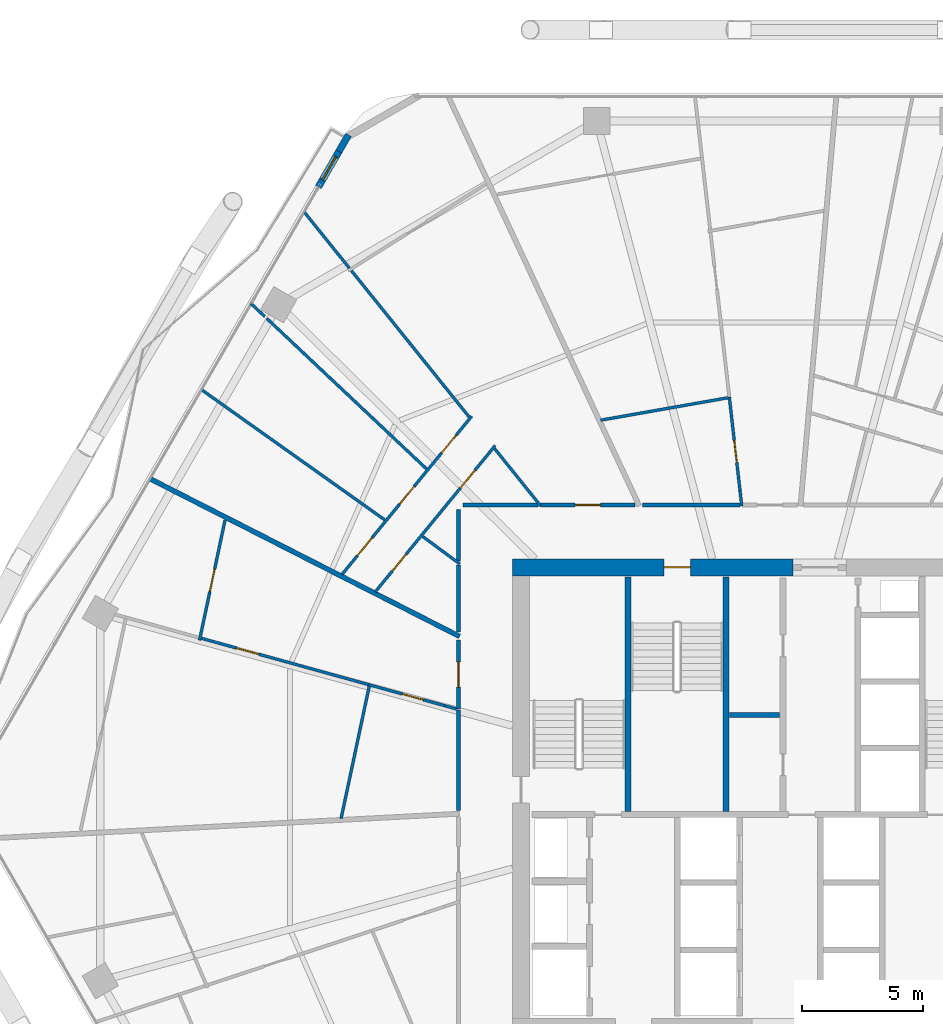
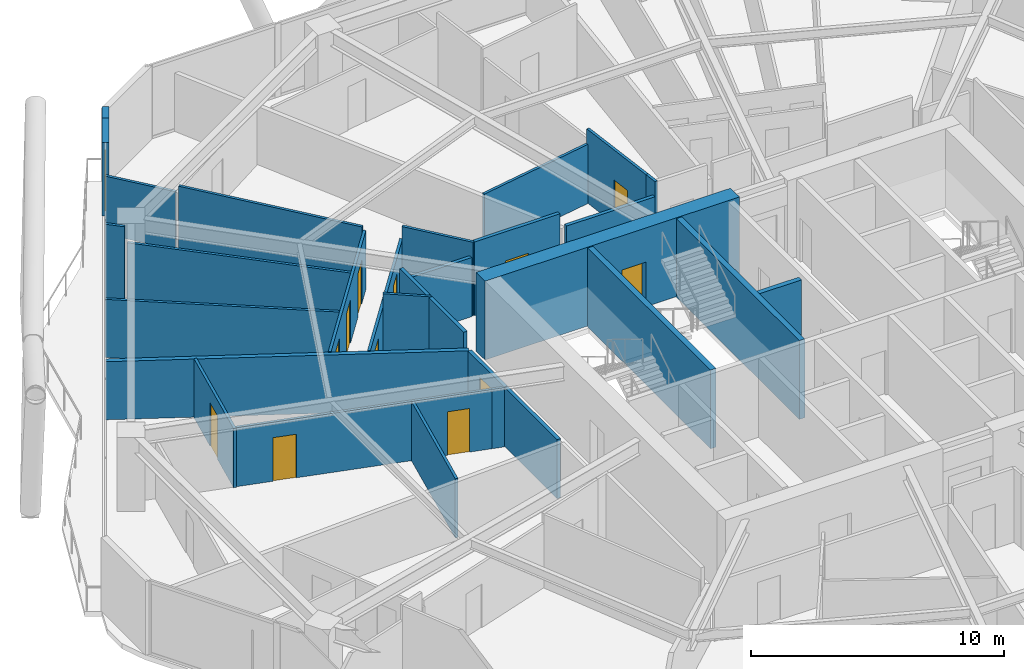
# One storey, part 30 of 34: 31 walls, 13 doors, 13 openings.
"""IFC4 building model written with IfcOpenShell, lengths in metres."""

from ifc_helpers import new_model, si_unit, direction, frame, frame_2d, origin, place, context, subcontext, project, spatial, rectangle, extrude, material, layer, layer_set, type_object, element, fill, save


model = new_model("IFC4")

# Units and contexts
model_context = context("Model", 3, precision=1e-05, world=origin(), true_north=direction((0.0, 1.0)))
body_context = subcontext(model_context, "Body", "Model", "MODEL_VIEW")
ifc_project = project(units=[si_unit("LENGTHUNIT", "METRE"), si_unit("AREAUNIT", "SQUARE_METRE"), si_unit("VOLUMEUNIT", "CUBIC_METRE"), si_unit("PLANEANGLEUNIT", "RADIAN"), si_unit("MASSUNIT", "GRAM", prefix="KILO")], contexts=[model_context])

# Site, building, storey
site_placement = place(None, origin())
site = spatial("IfcSite", under=ifc_project, at=site_placement, CompositionType="ELEMENT")
building_placement = place(site_placement, origin())
building = spatial("IfcBuilding", under=site, at=building_placement, Name="Zuhravey Tower", CompositionType="ELEMENT")
storey_placement = place(building_placement, frame((0.0, 0.0, 130.39990234375)))
storey = spatial("IfcBuildingStorey", under=building, at=storey_placement, Name="L32", CompositionType="ELEMENT", Elevation=130.39990234375)

# Wall, opening, door
ifc_material_1 = material(Name="Concrete C60/75", Category="concrete")
ifc_layer_1 = layer(ifc_material_1, 0.699951171875)
ifc_layer_set_1 = layer_set([ifc_layer_1], Name="Concrete C60/75")
wall_type_1 = type_object("IfcWallType", Name="Core Shear Wall 700", PredefinedType="SHEAR", material=ifc_layer_set_1)
wall_1_placement = place(storey_placement, frame((36.75, 41.5, 0.0), z_axis=(0.0, 0.0, 1.0), x_axis=(-1.0, 0.0, 0.0)))
wall_1 = element("IfcWall", 1, at=wall_1_placement, inside=storey, type_object=wall_type_1, Name="L32 North-West Core Shear Wall CW70", PredefinedType="SHEAR", context=body_context, shape_type="SweptSolid", body=[
    extrude(rectangle(XDim=11.60009765625, YDim=0.699951171875, at=frame_2d((5.800048828125, 0.0))), origin(), (0.0, 0.0, 1.0), 3.800048828125),
])
opening_1_placement = place(wall_1_placement, frame((4.25, 0.0, 0.0)))
opening_1 = element("IfcOpeningElement", 2, at=opening_1_placement, cuts=wall_1, Name="Opening STD1", PredefinedType="OPENING", context=body_context, shape_type="SweptSolid", body=[
    extrude(rectangle(XDim=1.10009765625, YDim=2.14990234375, at=frame_2d((0.550048828125, 1.074951171875))), frame((0.0, 0.362060546875, 0.0), z_axis=(0.0, -1.0, 0.0), x_axis=(1.0, 0.0, 0.0)), (0.0, 0.0, 1.0), 0.723876953125),
])
ifc_material_2 = material(Name="Galvanised fire-rated steel leaf", Category="steel")
door_type_1 = type_object("IfcDoorType", Name="Protected Stair Fire Door 1100x2150", OperationType="NOTDEFINED", PredefinedType="USERDEFINED", material=ifc_material_2)
door_1_placement = place(opening_1_placement, origin())
door_1 = element("IfcDoor", 3, at=door_1_placement, inside=storey, type_object=door_type_1, Name="L32 Stair ST3 Door", ObjectType="EXITDOOR", OperationType="SINGLE_SWING_RIGHT", OverallHeight=2.14990234375, OverallWidth=1.10009765625, PredefinedType="USERDEFINED", context=body_context, shape_type="SweptSolid", body=[
    extrude(rectangle(XDim=1.10009765625, YDim=2.14990234375, at=frame_2d((0.550048828125, 1.074951171875))), frame((0.0, 0.02490234375, 0.0), z_axis=(0.0, -1.0, 0.0), x_axis=(1.0, 0.0, 0.0)), (0.0, 0.0, 1.0), 0.050048828125),
])
fill(opening_1, door_1)

ifc_material_3 = material(Name="Gypsum fire-rated stud partition")
ifc_layer_2 = layer(ifc_material_3, 0.159912109375)
ifc_layer_set_2 = layer_set([ifc_layer_2], Name="Gypsum fire-rated stud partition")
wall_type_2 = type_object("IfcWallType", Name="Corridor Fire Partition 160", PredefinedType="PARTITIONING", material=ifc_layer_set_2)
wall_2_placement = place(storey_placement, frame((30.216064453125, 44.080078125, 0.0), z_axis=(0.0, 0.0, 1.0), x_axis=(-1.0, 0.0, 0.0)))
wall_2 = element("IfcWall", 4, at=wall_2_placement, inside=storey, type_object=wall_type_2, Name="L32 IW16 Partition 036", PredefinedType="PARTITIONING", context=body_context, shape_type="SweptSolid", body=[
    extrude(rectangle(XDim=3.909912109375, YDim=0.159912109375, at=frame_2d((1.955078125, 0.0))), origin(), (0.0, 0.0, 1.0), 3.550048828125),
])
opening_2_placement = place(wall_2_placement, frame((1.429931640625, 0.0, 0.0)))
opening_2 = element("IfcOpeningElement", 5, at=opening_2_placement, cuts=wall_2, Name="Opening APD1", PredefinedType="OPENING", context=body_context, shape_type="SweptSolid", body=[
    extrude(rectangle(XDim=1.050048828125, YDim=2.14990234375, at=frame_2d((0.52490234375, 1.074951171875))), frame((0.0, 0.092041015625, 0.0), z_axis=(0.0, -1.0, 0.0), x_axis=(1.0, 0.0, 0.0)), (0.0, 0.0, 1.0), 0.183837890625),
])
ifc_material_4 = material(Name="Solid-core oak fire-rated leaf")
door_type_2 = type_object("IfcDoorType", Name="Apartment Entrance Fire Door 1050x2150", OperationType="NOTDEFINED", PredefinedType="DOOR", material=ifc_material_4)
door_2_placement = place(opening_2_placement, frame((1.050048828125, 0.0, 0.0), z_axis=(0.0, 0.0, 1.0), x_axis=(-1.0, 0.0, 0.0)))
door_2 = element("IfcDoor", 6, at=door_2_placement, inside=storey, type_object=door_type_2, Name="L32 Door 036.1", OperationType="SINGLE_SWING_LEFT", OverallHeight=2.14990234375, OverallWidth=1.050048828125, PredefinedType="DOOR", context=body_context, shape_type="SweptSolid", body=[
    extrude(rectangle(XDim=1.050048828125, YDim=2.14990234375, at=frame_2d((0.52490234375, 1.074951171875))), frame((0.0, 0.02490234375, 0.0), z_axis=(0.0, -1.0, 0.0), x_axis=(1.0, 0.0, 0.0)), (0.0, 0.0, 1.0), 0.050048828125),
])
fill(opening_2, door_2)

wall_3_placement = place(storey_placement, frame((22.919921875, 38.4990234375, 0.0), z_axis=(0.0, 0.0, 1.0), x_axis=(0.0, -1.0, 0.0)))
wall_3 = element("IfcWall", 7, at=wall_3_placement, inside=storey, type_object=wall_type_2, Name="L32 IW16 Partition 042", PredefinedType="PARTITIONING", context=body_context, shape_type="SweptSolid", body=[
    extrude(rectangle(XDim=2.855712890625, YDim=0.159912109375, at=frame_2d((1.427734375, 0.0))), origin(), (0.0, 0.0, 1.0), 2.85009765625),
])
opening_3_placement = place(wall_3_placement, frame((0.90283203125, 0.0, 0.0)))
opening_3 = element("IfcOpeningElement", 8, at=opening_3_placement, cuts=wall_3, Name="Opening APD1", PredefinedType="OPENING", context=body_context, shape_type="SweptSolid", body=[
    extrude(rectangle(XDim=1.050048828125, YDim=2.14990234375, at=frame_2d((0.52490234375, 1.074951171875))), frame((0.0, 0.092041015625, 0.0), z_axis=(0.0, -1.0, 0.0), x_axis=(1.0, 0.0, 0.0)), (0.0, 0.0, 1.0), 0.183837890625),
])
door_3_placement = place(opening_3_placement, frame((1.050048828125, 0.0, 0.0), z_axis=(0.0, 0.0, 1.0), x_axis=(-1.0, 0.0, 0.0)))
door_3 = element("IfcDoor", 9, at=door_3_placement, inside=storey, type_object=door_type_2, Name="L32 Door 042.1", OperationType="SINGLE_SWING_RIGHT", OverallHeight=2.14990234375, OverallWidth=1.050048828125, PredefinedType="DOOR", context=body_context, shape_type="SweptSolid", body=[
    extrude(rectangle(XDim=1.050048828125, YDim=2.14990234375, at=frame_2d((0.52490234375, 1.074951171875))), frame((0.0, 0.02490234375, 0.0), z_axis=(0.0, -1.0, 0.0), x_axis=(1.0, 0.0, 0.0)), (0.0, 0.0, 1.0), 0.050048828125),
])
fill(opening_3, door_3)

# Walls
wall_4_placement = place(storey_placement, frame((34.55078125, 44.080078125, 0.0), z_axis=(0.0, 0.0, 1.0), x_axis=(-1.0, 0.0, 0.0)))
element("IfcWall", 10, at=wall_4_placement, inside=storey, type_object=wall_type_2, Name="L32 IW16 Partition 132", PredefinedType="PARTITIONING", context=body_context, shape_type="SweptSolid", body=[
    extrude(rectangle(XDim=4.033935546875, YDim=0.159912109375, at=frame_2d((2.01708984375, 0.0))), origin(), (0.0, 0.0, 1.0), 2.85009765625),
])
wall_5_placement = place(storey_placement, frame((26.193115234375, 44.080078125, 0.0), z_axis=(0.0, 0.0, 1.0), x_axis=(-1.0, 0.0, 0.0)))
element("IfcWall", 11, at=wall_5_placement, inside=storey, type_object=wall_type_2, Name="L32 IW16 Partition 133", PredefinedType="PARTITIONING", context=body_context, shape_type="SweptSolid", body=[
    extrude(rectangle(XDim=3.093017578125, YDim=0.159912109375, at=frame_2d((1.54638671875, 0.0))), origin(), (0.0, 0.0, 1.0), 2.85009765625),
])
wall_6_placement = place(storey_placement, frame((22.919921875, 43.89990234375, 0.0), z_axis=(0.0, 0.0, 1.0), x_axis=(0.0, -1.0, 0.0)))
element("IfcWall", 12, at=wall_6_placement, inside=storey, type_object=wall_type_2, Name="L32 IW16 Partition 134", PredefinedType="PARTITIONING", context=body_context, shape_type="SweptSolid", body=[
    extrude(rectangle(XDim=2.13720703125, YDim=0.159912109375, at=frame_2d((1.068603515625, 0.0))), origin(), (0.0, 0.0, 1.0), 3.550048828125),
])
wall_7_placement = place(storey_placement, frame((22.919921875, 41.593505859375, 0.0), z_axis=(0.0, 0.0, 1.0), x_axis=(0.0, -1.0, 0.0)))
element("IfcWall", 13, at=wall_7_placement, inside=storey, type_object=wall_type_2, Name="L32 IW16 Partition 135", PredefinedType="PARTITIONING", context=body_context, shape_type="SweptSolid", body=[
    extrude(rectangle(XDim=2.761962890625, YDim=0.159912109375, at=frame_2d((1.380859375, 0.0))), origin(), (0.0, 0.0, 1.0), 3.550048828125),
])
wall_8_placement = place(storey_placement, frame((22.919921875, 35.601806640625, 0.0), z_axis=(0.0, 0.0, 1.0), x_axis=(0.0, -1.0, 0.0)))
element("IfcWall", 14, at=wall_8_placement, inside=storey, type_object=wall_type_2, Name="L32 IW16 Partition 136", PredefinedType="PARTITIONING", context=body_context, shape_type="SweptSolid", body=[
    extrude(rectangle(XDim=4.15283203125, YDim=0.159912109375, at=frame_2d((2.076416015625, 0.0))), origin(), (0.0, 0.0, 1.0), 2.85009765625),
])

# Wall, opening, door
ifc_material_5 = material(Name="Precast concrete C40/50", Category="concrete")
ifc_layer_3 = layer(ifc_material_5, 0.280029296875)
ifc_layer_set_3 = layer_set([ifc_layer_3], Name="Precast concrete C40/50")
wall_type_3 = type_object("IfcWallType", Name="Crown Architectural Wall 280", PredefinedType="SOLIDWALL", material=ifc_layer_set_3)
wall_9_placement = place(storey_placement, frame((17.12353515625, 57.2216796875, 0.0), z_axis=(0.0, 0.0, 1.0), x_axis=(0.499923131819, 0.866069779101, 0.0)))
wall_9 = element("IfcWall", 15, at=wall_9_placement, inside=storey, type_object=wall_type_3, Name="L32 Face 3 Facade Pier EW28-1", PredefinedType="SOLIDWALL", context=body_context, shape_type="SweptSolid", body=[
    extrude(rectangle(XDim=1.790283203125, YDim=0.280029296875, at=frame_2d((0.89501953125, 0.0))), origin(), (0.0, 0.0, 1.0), 3.550048828125),
])
opening_4_placement = place(wall_9_placement, frame((0.344970703125, 0.0, 0.0)))
opening_4 = element("IfcOpeningElement", 16, at=opening_4_placement, cuts=wall_9, Name="Opening BLD1", PredefinedType="OPENING", context=body_context, shape_type="SweptSolid", body=[
    extrude(rectangle(XDim=1.10009765625, YDim=2.199951171875, at=frame_2d((0.550048828125, 1.10009765625))), frame((0.0, 0.152099609375, 0.0), z_axis=(0.0, -1.0, 0.0), x_axis=(1.0, 0.0, 0.0)), (0.0, 0.0, 1.0), 0.303955078125),
])
ifc_material_6 = material(Name="Thermally broken aluminium and low-E glass", Category="aluminium")
door_type_3 = type_object("IfcDoorType", Name="Balcony & Sky-Tray Glazed Door 1100x2200", OperationType="NOTDEFINED", PredefinedType="DOOR", material=ifc_material_6)
door_4_placement = place(opening_4_placement, frame((1.10009765625, 0.0, 0.0), z_axis=(0.0, 0.0, 1.0), x_axis=(-1.0, 0.0, 0.0)))
door_4 = element("IfcDoor", 17, at=door_4_placement, inside=storey, type_object=door_type_3, Name="L32 Face 3 Wave Balcony Door", OperationType="SINGLE_SWING_RIGHT", OverallHeight=2.199951171875, OverallWidth=1.10009765625, PredefinedType="DOOR", context=body_context, shape_type="SweptSolid", body=[
    extrude(rectangle(XDim=1.10009765625, YDim=2.199951171875, at=frame_2d((0.550048828125, 1.10009765625))), frame((0.0, 0.02490234375, 0.0), z_axis=(0.0, -1.0, 0.0), x_axis=(1.0, 0.0, 0.0)), (0.0, 0.0, 1.0), 0.050048828125),
])
fill(opening_4, door_4)

# Walls
wall_10_placement = place(storey_placement, frame((17.973388671875, 58.694091796875, 0.0), z_axis=(0.0, 0.0, 1.0), x_axis=(0.499927510798, 0.8660672514, 0.0)))
element("IfcWall", 18, at=wall_10_placement, inside=storey, type_object=wall_type_3, Name="L32 Face 3 Closure Pier EW28", PredefinedType="SOLIDWALL", context=body_context, shape_type="SweptSolid", body=[
    extrude(rectangle(XDim=0.7900390625, YDim=0.280029296875, at=frame_2d((0.39501953125, 0.0))), origin(), (0.0, 0.0, 1.0), 3.550048828125),
])
ifc_material_7 = material(Name="Concrete C50/60", Category="concrete")
ifc_layer_4 = layer(ifc_material_7, 0.25)
ifc_layer_set_4 = layer_set([ifc_layer_4], Name="Concrete C50/60")
wall_type_4 = type_object("IfcWallType", Name="Firefighting Shaft & Stair Wall 250", PredefinedType="SOLIDWALL", material=ifc_layer_set_4)
for number, where, z_axis, x_axis, name in (
    (19, (29.925048828125, 31.39990234375, 0.0), (0.0, 0.0, 1.0), (0.0, 1.0, 0.0), "L32 FW25 Shaft Wall 004"),
    (20, (33.97509765625, 31.39990234375, 0.0), (0.0, 0.0, 1.0), (0.0, 1.0, 0.0), "L32 FW25 Shaft Wall 005"),
):
    element("IfcWall", number, at=place(storey_placement, frame(where, z_axis=z_axis, x_axis=x_axis)), inside=storey, type_object=wall_type_4, Name=name, PredefinedType="SOLIDWALL", context=body_context, shape_type="SweptSolid", body=[
        extrude(rectangle(XDim=9.7001953125, YDim=0.25, at=frame_2d((4.85009765625, 0.0))), origin(), (0.0, 0.0, 1.0), 3.800048828125),
    ])
ifc_material_8 = material(Name="Gypsum double-stud party assembly")
ifc_layer_5 = layer(ifc_material_8, 0.199951171875)
ifc_layer_set_5 = layer_set([ifc_layer_5], Name="Gypsum double-stud party assembly")
wall_type_5 = type_object("IfcWallType", Name="Inter-Tenancy Party Wall 200", PredefinedType="PARTITIONING", material=ifc_layer_set_5)
wall_11_placement = place(storey_placement, frame((22.9599609375, 38.644287109375, 0.0), z_axis=(0.0, 0.0, 1.0), x_axis=(-0.891012124705, 0.453979507939, 0.0)))
element("IfcWall", 21, at=wall_11_placement, inside=storey, type_object=wall_type_5, Name="L32 IW20 Partition 099", PredefinedType="PARTITIONING", context=body_context, shape_type="SweptSolid", body=[
    extrude(rectangle(XDim=14.363037109375, YDim=0.199951171875, at=frame_2d((7.181640625, 0.0))), origin(), (0.0, 0.0, 1.0), 2.800048828125),
])
ifc_material_9 = material(Name="Gypsum acoustic stud assembly")
ifc_layer_6 = layer(ifc_material_9, 0.219970703125)
ifc_layer_set_6 = layer_set([ifc_layer_6], Name="Gypsum acoustic stud assembly")
wall_type_6 = type_object("IfcWallType", Name="School Acoustic Compartment Wall 220", PredefinedType="PARTITIONING", material=ifc_layer_set_6)
wall_12_placement = place(storey_placement, frame((34.10791015625, 35.39990234375, 0.0), z_axis=(0.0, 0.0, 1.0), x_axis=(1.0, 0.0, 0.0)))
element("IfcWall", 22, at=wall_12_placement, inside=storey, type_object=wall_type_6, Name="L32 IW22 Partition 067", PredefinedType="PARTITIONING", context=body_context, shape_type="SweptSolid", body=[
    extrude(rectangle(XDim=2.083984375, YDim=0.219970703125, at=frame_2d((1.0419921875, 0.0))), origin(), (0.0, 0.0, 1.0), 3.550048828125),
])

# Wall, opening, door
ifc_material_10 = material(Name="Gypsum metal-stud partition")
ifc_layer_7 = layer(ifc_material_10, 0.1201171875)
ifc_layer_set_7 = layer_set([ifc_layer_7], Name="Gypsum metal-stud partition")
wall_type_7 = type_object("IfcWallType", Name="Unit Internal Partition 120", PredefinedType="PARTITIONING", material=ifc_layer_set_7)
wall_13_placement = place(storey_placement, frame((34.55419921875, 44.64990234375, 0.0), z_axis=(0.0, 0.0, 1.0), x_axis=(-0.113574688957, 0.993529461077, 0.0)))
wall_13 = element("IfcWall", 23, at=wall_13_placement, inside=storey, type_object=wall_type_7, Name="L32 IW12 Partition 028", PredefinedType="PARTITIONING", context=body_context, shape_type="SweptSolid", body=[
    extrude(rectangle(XDim=3.9208984375, YDim=0.1201171875, at=frame_2d((1.96044921875, 0.0))), origin(), (0.0, 0.0, 1.0), 3.550048828125),
])
opening_5_placement = place(wall_13_placement, frame((1.19677734375, 0.0, 0.0)))
opening_5 = element("IfcOpeningElement", 24, at=opening_5_placement, cuts=wall_13, Name="Opening WCD1", PredefinedType="OPENING", context=body_context, shape_type="SweptSolid", body=[
    extrude(rectangle(XDim=0.89990234375, YDim=2.10009765625, at=frame_2d((0.449951171875, 1.050048828125))), frame((0.0, 0.072021484375, 0.0), z_axis=(0.0, -1.0, 0.0), x_axis=(1.0, 0.0, 0.0)), (0.0, 0.0, 1.0), 0.14404296875),
])
ifc_material_11 = material(Name="Moisture-resistant timber leaf", Category="wood")
door_type_4 = type_object("IfcDoorType", Name="Bathroom & WC Internal Door 900x2100", OperationType="NOTDEFINED", PredefinedType="DOOR", material=ifc_material_11)
door_5_placement = place(opening_5_placement, origin())
door_5 = element("IfcDoor", 25, at=door_5_placement, inside=storey, type_object=door_type_4, Name="Apartment L32-03 Bathroom Door", OperationType="SINGLE_SWING_LEFT", OverallHeight=2.10009765625, OverallWidth=0.89990234375, PredefinedType="DOOR", context=body_context, shape_type="SweptSolid", body=[
    extrude(rectangle(XDim=0.89990234375, YDim=2.10009765625, at=frame_2d((0.449951171875, 1.050048828125))), frame((0.0, 0.02490234375, 0.0), z_axis=(0.0, -1.0, 0.0), x_axis=(1.0, 0.0, 0.0)), (0.0, 0.0, 1.0), 0.050048828125),
])
fill(opening_5, door_5)

# Wall, openings, doors
wall_14_placement = place(storey_placement, frame((24.43310546875, 46.53564453125, 0.0), z_axis=(0.0, 0.0, 1.0), x_axis=(-0.633934690798, -0.773386583671, 0.0)))
wall_14 = element("IfcWall", 26, at=wall_14_placement, inside=storey, type_object=wall_type_7, Name="L32 IW12 Partition 034", PredefinedType="PARTITIONING", context=body_context, shape_type="SweptSolid", body=[
    extrude(rectangle(XDim=7.818603515625, YDim=0.1201171875, at=frame_2d((3.9091796875, 0.0))), origin(), (0.0, 0.0, 1.0), 2.85009765625),
])
opening_6_placement = place(wall_14_placement, frame((1.3212890625, 0.0, 0.0)))
opening_6 = element("IfcOpeningElement", 27, at=opening_6_placement, cuts=wall_14, Name="Opening IND1", PredefinedType="OPENING", context=body_context, shape_type="SweptSolid", body=[
    extrude(rectangle(XDim=0.949951171875, YDim=2.10009765625, at=frame_2d((0.47509765625, 1.050048828125))), frame((0.0, 0.072021484375, 0.0), z_axis=(0.0, -1.0, 0.0), x_axis=(1.0, 0.0, 0.0)), (0.0, 0.0, 1.0), 0.14404296875),
])
opening_7_placement = place(wall_14_placement, frame((5.8134765625, 0.0, 0.0)))
opening_7 = element("IfcOpeningElement", 28, at=opening_7_placement, cuts=wall_14, Name="Opening WCD1", PredefinedType="OPENING", context=body_context, shape_type="SweptSolid", body=[
    extrude(rectangle(XDim=0.89990234375, YDim=2.10009765625, at=frame_2d((0.449951171875, 1.050048828125))), frame((0.0, 0.072021484375, 0.0), z_axis=(0.0, -1.0, 0.0), x_axis=(1.0, 0.0, 0.0)), (0.0, 0.0, 1.0), 0.14404296875),
])
door_6_placement = place(opening_7_placement, origin())
door_6 = element("IfcDoor", 29, at=door_6_placement, inside=storey, type_object=door_type_4, Name="Apartment L32-04 Bathroom Door", OperationType="SINGLE_SWING_LEFT", OverallHeight=2.10009765625, OverallWidth=0.89990234375, PredefinedType="DOOR", context=body_context, shape_type="SweptSolid", body=[
    extrude(rectangle(XDim=0.89990234375, YDim=2.10009765625, at=frame_2d((0.449951171875, 1.050048828125))), frame((0.0, 0.02490234375, 0.0), z_axis=(0.0, -1.0, 0.0), x_axis=(1.0, 0.0, 0.0)), (0.0, 0.0, 1.0), 0.050048828125),
])
fill(opening_7, door_6)
ifc_material_12 = material(Name="Painted engineered timber leaf", Category="wood")
door_type_5 = type_object("IfcDoorType", Name="Internal Room & Bedroom Door 950x2100", OperationType="NOTDEFINED", PredefinedType="DOOR", material=ifc_material_12)
door_7_placement = place(opening_6_placement, origin())
door_7 = element("IfcDoor", 30, at=door_7_placement, inside=storey, type_object=door_type_5, Name="Apartment L32-04 Kitchen Door", OperationType="SINGLE_SWING_RIGHT", OverallHeight=2.10009765625, OverallWidth=0.949951171875, PredefinedType="DOOR", context=body_context, shape_type="SweptSolid", body=[
    extrude(rectangle(XDim=0.949951171875, YDim=2.10009765625, at=frame_2d((0.47509765625, 1.050048828125))), frame((0.0, 0.02490234375, 0.0), z_axis=(0.0, -1.0, 0.0), x_axis=(1.0, 0.0, 0.0)), (0.0, 0.0, 1.0), 0.050048828125),
])
fill(opening_6, door_7)

wall_15_placement = place(storey_placement, frame((23.45947265625, 47.74560546875, 0.0), z_axis=(0.0, 0.0, 1.0), x_axis=(-0.633918329218, -0.773399994751, 0.0)))
wall_15 = element("IfcWall", 31, at=wall_15_placement, inside=storey, type_object=wall_type_7, Name="L32 IW12 Partition 035", PredefinedType="PARTITIONING", context=body_context, shape_type="SweptSolid", body=[
    extrude(rectangle(XDim=8.455810546875, YDim=0.1201171875, at=frame_2d((4.22802734375, 0.0))), origin(), (0.0, 0.0, 1.0), 2.85009765625),
])
opening_8_placement = place(wall_15_placement, frame((1.010009765625, 0.0, 0.0)))
opening_8 = element("IfcOpeningElement", 32, at=opening_8_placement, cuts=wall_15, Name="Opening IND1", PredefinedType="OPENING", context=body_context, shape_type="SweptSolid", body=[
    extrude(rectangle(XDim=0.949951171875, YDim=2.10009765625, at=frame_2d((0.47509765625, 1.050048828125))), frame((0.0, 0.072021484375, 0.0), z_axis=(0.0, -1.0, 0.0), x_axis=(1.0, 0.0, 0.0)), (0.0, 0.0, 1.0), 0.14404296875),
])
opening_9_placement = place(wall_15_placement, frame((3.7529296875, 0.0, 0.0)))
opening_9 = element("IfcOpeningElement", 33, at=opening_9_placement, cuts=wall_15, Name="Opening IND1", PredefinedType="OPENING", context=body_context, shape_type="SweptSolid", body=[
    extrude(rectangle(XDim=0.949951171875, YDim=2.10009765625, at=frame_2d((0.47509765625, 1.050048828125))), frame((0.0, 0.072021484375, 0.0), z_axis=(0.0, -1.0, 0.0), x_axis=(1.0, 0.0, 0.0)), (0.0, 0.0, 1.0), 0.14404296875),
])
opening_10_placement = place(wall_15_placement, frame((6.495849609375, 0.0, 0.0)))
opening_10 = element("IfcOpeningElement", 34, at=opening_10_placement, cuts=wall_15, Name="Opening IND1", PredefinedType="OPENING", context=body_context, shape_type="SweptSolid", body=[
    extrude(rectangle(XDim=0.949951171875, YDim=2.10009765625, at=frame_2d((0.47509765625, 1.050048828125))), frame((0.0, 0.072021484375, 0.0), z_axis=(0.0, -1.0, 0.0), x_axis=(1.0, 0.0, 0.0)), (0.0, 0.0, 1.0), 0.14404296875),
])
door_8_placement = place(opening_8_placement, frame((0.949951171875, 0.0, 0.0), z_axis=(0.0, 0.0, 1.0), x_axis=(-1.0, 0.0, 0.0)))
door_8 = element("IfcDoor", 35, at=door_8_placement, inside=storey, type_object=door_type_5, Name="Apartment L32-04 Bedroom 1 Door", OperationType="SINGLE_SWING_RIGHT", OverallHeight=2.10009765625, OverallWidth=0.949951171875, PredefinedType="DOOR", context=body_context, shape_type="SweptSolid", body=[
    extrude(rectangle(XDim=0.949951171875, YDim=2.10009765625, at=frame_2d((0.47509765625, 1.050048828125))), frame((0.0, 0.02490234375, 0.0), z_axis=(0.0, -1.0, 0.0), x_axis=(1.0, 0.0, 0.0)), (0.0, 0.0, 1.0), 0.050048828125),
])
fill(opening_8, door_8)
door_9_placement = place(opening_9_placement, frame((0.949951171875, 0.0, 0.0), z_axis=(0.0, 0.0, 1.0), x_axis=(-1.0, 0.0, 0.0)))
door_9 = element("IfcDoor", 36, at=door_9_placement, inside=storey, type_object=door_type_5, Name="Apartment L32-04 Bedroom 2 Door", OperationType="SINGLE_SWING_LEFT", OverallHeight=2.10009765625, OverallWidth=0.949951171875, PredefinedType="DOOR", context=body_context, shape_type="SweptSolid", body=[
    extrude(rectangle(XDim=0.949951171875, YDim=2.10009765625, at=frame_2d((0.47509765625, 1.050048828125))), frame((0.0, 0.02490234375, 0.0), z_axis=(0.0, -1.0, 0.0), x_axis=(1.0, 0.0, 0.0)), (0.0, 0.0, 1.0), 0.050048828125),
])
fill(opening_9, door_9)
door_10_placement = place(opening_10_placement, frame((0.949951171875, 0.0, 0.0), z_axis=(0.0, 0.0, 1.0), x_axis=(-1.0, 0.0, 0.0)))
door_10 = element("IfcDoor", 37, at=door_10_placement, inside=storey, type_object=door_type_5, Name="Apartment L32-04 Bedroom 3 Door", OperationType="SINGLE_SWING_RIGHT", OverallHeight=2.10009765625, OverallWidth=0.949951171875, PredefinedType="DOOR", context=body_context, shape_type="SweptSolid", body=[
    extrude(rectangle(XDim=0.949951171875, YDim=2.10009765625, at=frame_2d((0.47509765625, 1.050048828125))), frame((0.0, 0.02490234375, 0.0), z_axis=(0.0, -1.0, 0.0), x_axis=(1.0, 0.0, 0.0)), (0.0, 0.0, 1.0), 0.050048828125),
])
fill(opening_10, door_10)

# Wall, opening, door
wall_16_placement = place(storey_placement, frame((13.2646484375, 43.447021484375, 0.0), z_axis=(0.0, 0.0, 1.0), x_axis=(-0.207901923905, -0.978149676704, 0.0)))
wall_16 = element("IfcWall", 38, at=wall_16_placement, inside=storey, type_object=wall_type_7, Name="L32 IW12 Partition 037", PredefinedType="PARTITIONING", context=body_context, shape_type="SweptSolid", body=[
    extrude(rectangle(XDim=5.072998046875, YDim=0.1201171875, at=frame_2d((2.53662109375, 0.0))), origin(), (0.0, 0.0, 1.0), 2.85009765625),
])
opening_11_placement = place(wall_16_placement, frame((2.0615234375, 0.0, 0.0)))
opening_11 = element("IfcOpeningElement", 39, at=opening_11_placement, cuts=wall_16, Name="Opening IND1", PredefinedType="OPENING", context=body_context, shape_type="SweptSolid", body=[
    extrude(rectangle(XDim=0.949951171875, YDim=2.10009765625, at=frame_2d((0.47509765625, 1.050048828125))), frame((0.0, 0.072021484375, 0.0), z_axis=(0.0, -1.0, 0.0), x_axis=(1.0, 0.0, 0.0)), (0.0, 0.0, 1.0), 0.14404296875),
])
door_11_placement = place(opening_11_placement, frame((0.949951171875, 0.0, 0.0), z_axis=(0.0, 0.0, 1.0), x_axis=(-1.0, 0.0, 0.0)))
door_11 = element("IfcDoor", 40, at=door_11_placement, inside=storey, type_object=door_type_5, Name="Apartment L32-05 Family Study Door", OperationType="SINGLE_SWING_RIGHT", OverallHeight=2.10009765625, OverallWidth=0.949951171875, PredefinedType="DOOR", context=body_context, shape_type="SweptSolid", body=[
    extrude(rectangle(XDim=0.949951171875, YDim=2.10009765625, at=frame_2d((0.47509765625, 1.050048828125))), frame((0.0, 0.02490234375, 0.0), z_axis=(0.0, -1.0, 0.0), x_axis=(1.0, 0.0, 0.0)), (0.0, 0.0, 1.0), 0.050048828125),
])
fill(opening_11, door_11)

wall_17_placement = place(storey_placement, frame((22.35009765625, 35.7802734375, 0.0), z_axis=(0.0, 0.0, 1.0), x_axis=(-0.963728241007, 0.266885513816, 0.0)))
wall_17 = element("IfcWall", 41, at=wall_17_placement, inside=storey, type_object=wall_type_7, Name="L32 IW12 Partition 038", PredefinedType="PARTITIONING", context=body_context, shape_type="SweptSolid", body=[
    extrude(rectangle(XDim=3.2548828125, YDim=0.1201171875, at=frame_2d((1.62744140625, 0.0))), origin(), (0.0, 0.0, 1.0), 2.85009765625),
])
opening_12_placement = place(wall_17_placement, frame((0.9169921875, 0.0, 0.0)))
opening_12 = element("IfcOpeningElement", 42, at=opening_12_placement, cuts=wall_17, Name="Opening WCD1", PredefinedType="OPENING", context=body_context, shape_type="SweptSolid", body=[
    extrude(rectangle(XDim=0.89990234375, YDim=2.10009765625, at=frame_2d((0.449951171875, 1.050048828125))), frame((0.0, 0.072021484375, 0.0), z_axis=(0.0, -1.0, 0.0), x_axis=(1.0, 0.0, 0.0)), (0.0, 0.0, 1.0), 0.14404296875),
])
door_12_placement = place(opening_12_placement, origin())
door_12 = element("IfcDoor", 43, at=door_12_placement, inside=storey, type_object=door_type_4, Name="Apartment L32-05 Bathroom Door", OperationType="SINGLE_SWING_LEFT", OverallHeight=2.10009765625, OverallWidth=0.89990234375, PredefinedType="DOOR", context=body_context, shape_type="SweptSolid", body=[
    extrude(rectangle(XDim=0.89990234375, YDim=2.10009765625, at=frame_2d((0.449951171875, 1.050048828125))), frame((0.0, 0.02490234375, 0.0), z_axis=(0.0, -1.0, 0.0), x_axis=(1.0, 0.0, 0.0)), (0.0, 0.0, 1.0), 0.050048828125),
])
fill(opening_12, door_12)

wall_18_placement = place(storey_placement, frame((19.21337890625, 36.64892578125, 0.0), z_axis=(0.0, 0.0, 1.0), x_axis=(-0.963719388082, 0.266917479821, 0.0)))
wall_18 = element("IfcWall", 44, at=wall_18_placement, inside=storey, type_object=wall_type_7, Name="L32 IW12 Partition 039", PredefinedType="PARTITIONING", context=body_context, shape_type="SweptSolid", body=[
    extrude(rectangle(XDim=7.177490234375, YDim=0.1201171875, at=frame_2d((3.5888671875, 0.0))), origin(), (0.0, 0.0, 1.0), 2.85009765625),
])
opening_13_placement = place(wall_18_placement, frame((4.724609375, 0.0, 0.0)))
opening_13 = element("IfcOpeningElement", 45, at=opening_13_placement, cuts=wall_18, Name="Opening IND1", PredefinedType="OPENING", context=body_context, shape_type="SweptSolid", body=[
    extrude(rectangle(XDim=0.949951171875, YDim=2.10009765625, at=frame_2d((0.47509765625, 1.050048828125))), frame((0.0, 0.072021484375, 0.0), z_axis=(0.0, -1.0, 0.0), x_axis=(1.0, 0.0, 0.0)), (0.0, 0.0, 1.0), 0.14404296875),
])
door_13_placement = place(opening_13_placement, origin())
door_13 = element("IfcDoor", 46, at=door_13_placement, inside=storey, type_object=door_type_5, Name="Apartment L32-05 Home Office Door", OperationType="SINGLE_SWING_RIGHT", OverallHeight=2.10009765625, OverallWidth=0.949951171875, PredefinedType="DOOR", context=body_context, shape_type="SweptSolid", body=[
    extrude(rectangle(XDim=0.949951171875, YDim=2.10009765625, at=frame_2d((0.47509765625, 1.050048828125))), frame((0.0, 0.02490234375, 0.0), z_axis=(0.0, -1.0, 0.0), x_axis=(1.0, 0.0, 0.0)), (0.0, 0.0, 1.0), 0.050048828125),
])
fill(opening_13, door_13)

# Walls
wall_19_placement = place(storey_placement, frame((34.62451171875, 44.03515625, 0.0), z_axis=(0.0, 0.0, 1.0), x_axis=(-0.113635614935, 0.99352249447, 0.0)))
element("IfcWall", 47, at=wall_19_placement, inside=storey, type_object=wall_type_7, Name="L32 IW12 Partition 088", PredefinedType="PARTITIONING", context=body_context, shape_type="SweptSolid", body=[
    extrude(rectangle(XDim=0.61865234375, YDim=0.1201171875, at=frame_2d((0.309326171875, 0.0))), origin(), (0.0, 0.0, 1.0), 3.550048828125),
])
wall_20_placement = place(storey_placement, frame((34.044677734375, 48.5087890625, 0.0), z_axis=(0.0, 0.0, 1.0), x_axis=(-0.984807496737, -0.173649631067, 0.0)))
element("IfcWall", 48, at=wall_20_placement, inside=storey, type_object=wall_type_7, Name="L32 IW12 Partition 090", PredefinedType="PARTITIONING", context=body_context, shape_type="SweptSolid", body=[
    extrude(rectangle(XDim=5.3369140625, YDim=0.1201171875, at=frame_2d((2.66845703125, 0.0))), origin(), (0.0, 0.0, 1.0), 2.85009765625),
])
wall_21_placement = place(storey_placement, frame((22.969970703125, 41.64111328125, 0.0), z_axis=(0.0, 0.0, 1.0), x_axis=(-0.803872525984, 0.59480161564, 0.0)))
element("IfcWall", 49, at=wall_21_placement, inside=storey, type_object=wall_type_7, Name="L32 IW12 Partition 092", PredefinedType="PARTITIONING", context=body_context, shape_type="SweptSolid", body=[
    extrude(rectangle(XDim=1.90576171875, YDim=0.1201171875, at=frame_2d((0.952880859375, 0.0))), origin(), (0.0, 0.0, 1.0), 3.550048828125),
])
wall_22_placement = place(storey_placement, frame((21.59033203125, 45.57275390625, 0.0), z_axis=(0.0, 0.0, 1.0), x_axis=(-0.727936592343, 0.685644454165, 0.0)))
element("IfcWall", 50, at=wall_22_placement, inside=storey, type_object=wall_type_7, Name="L32 IW12 Partition 093", PredefinedType="PARTITIONING", context=body_context, shape_type="SweptSolid", body=[
    extrude(rectangle(XDim=9.063232421875, YDim=0.1201171875, at=frame_2d((4.53173828125, 0.0))), origin(), (0.0, 0.0, 1.0), 2.800048828125),
])
wall_23_placement = place(storey_placement, frame((14.910888671875, 51.864013671875, 0.0), z_axis=(0.0, 0.0, 1.0), x_axis=(-0.72785685355, 0.68572910157, 0.0)))
element("IfcWall", 51, at=wall_23_placement, inside=storey, type_object=wall_type_7, Name="L32 IW12 Partition 094", PredefinedType="PARTITIONING", context=body_context, shape_type="SweptSolid", body=[
    extrude(rectangle(XDim=0.7939453125, YDim=0.1201171875, at=frame_2d((0.39697265625, 0.0))), origin(), (0.0, 0.0, 1.0), 3.550048828125),
])
wall_24_placement = place(storey_placement, frame((19.863037109375, 43.465087890625, 0.0), z_axis=(0.0, 0.0, 1.0), x_axis=(-0.815192148017, 0.579190609222, 0.0)))
element("IfcWall", 52, at=wall_24_placement, inside=storey, type_object=wall_type_7, Name="L32 IW12 Partition 095", PredefinedType="PARTITIONING", context=body_context, shape_type="SweptSolid", body=[
    extrude(rectangle(XDim=9.302001953125, YDim=0.1201171875, at=frame_2d((4.65087890625, 0.0))), origin(), (0.0, 0.0, 1.0), 2.800048828125),
])
wall_25_placement = place(storey_placement, frame((26.30615234375, 44.048095703125, 0.0), z_axis=(0.0, 0.0, 1.0), x_axis=(-0.626850349404, 0.779139679038, 0.0)))
element("IfcWall", 53, at=wall_25_placement, inside=storey, type_object=wall_type_7, Name="L32 IW12 Partition 096", PredefinedType="PARTITIONING", context=body_context, shape_type="SweptSolid", body=[
    extrude(rectangle(XDim=3.02197265625, YDim=0.1201171875, at=frame_2d((1.510986328125, 0.0))), origin(), (0.0, 0.0, 1.0), 3.550048828125),
])
wall_26_placement = place(storey_placement, frame((23.35107421875, 47.720703125, 0.0), z_axis=(0.0, 0.0, 1.0), x_axis=(-0.62686542239, 0.779127551952, 0.0)))
element("IfcWall", 54, at=wall_26_placement, inside=storey, type_object=wall_type_7, Name="L32 IW12 Partition 097", PredefinedType="PARTITIONING", context=body_context, shape_type="SweptSolid", body=[
    extrude(rectangle(XDim=7.755859375, YDim=0.1201171875, at=frame_2d((3.8779296875, 0.0))), origin(), (0.0, 0.0, 1.0), 3.10009765625),
])
wall_27_placement = place(storey_placement, frame((18.4033203125, 53.8701171875, 0.0), z_axis=(0.0, 0.0, 1.0), x_axis=(-0.626889927329, 0.779107835292, 0.0)))
element("IfcWall", 55, at=wall_27_placement, inside=storey, type_object=wall_type_7, Name="L32 IW12 Partition 098", PredefinedType="PARTITIONING", context=body_context, shape_type="SweptSolid", body=[
    extrude(rectangle(XDim=2.994384765625, YDim=0.1201171875, at=frame_2d((1.4970703125, 0.0))), origin(), (0.0, 0.0, 1.0), 2.800048828125),
])
wall_28_placement = place(storey_placement, frame((22.83203125, 35.646728515625, 0.0), z_axis=(0.0, 0.0, 1.0), x_axis=(-0.9636855789, 0.267039519584, 0.0)))
element("IfcWall", 56, at=wall_28_placement, inside=storey, type_object=wall_type_7, Name="L32 IW12 Partition 100", PredefinedType="PARTITIONING", context=body_context, shape_type="SweptSolid", body=[
    extrude(rectangle(XDim=0.5, YDim=0.1201171875, at=frame_2d((0.25, 0.0))), origin(), (0.0, 0.0, 1.0), 2.85009765625),
])
wall_29_placement = place(storey_placement, frame((19.223388671875, 36.57568359375, 0.0), z_axis=(0.0, 0.0, 1.0), x_axis=(-0.20792153834, -0.978145507527, 0.0)))
element("IfcWall", 57, at=wall_29_placement, inside=storey, type_object=wall_type_7, Name="L32 IW12 Partition 102", PredefinedType="PARTITIONING", context=body_context, shape_type="SweptSolid", body=[
    extrude(rectangle(XDim=5.5810546875, YDim=0.1201171875, at=frame_2d((2.79052734375, 0.0))), origin(), (0.0, 0.0, 1.0), 2.85009765625),
])

save(model, "model.ifc")
